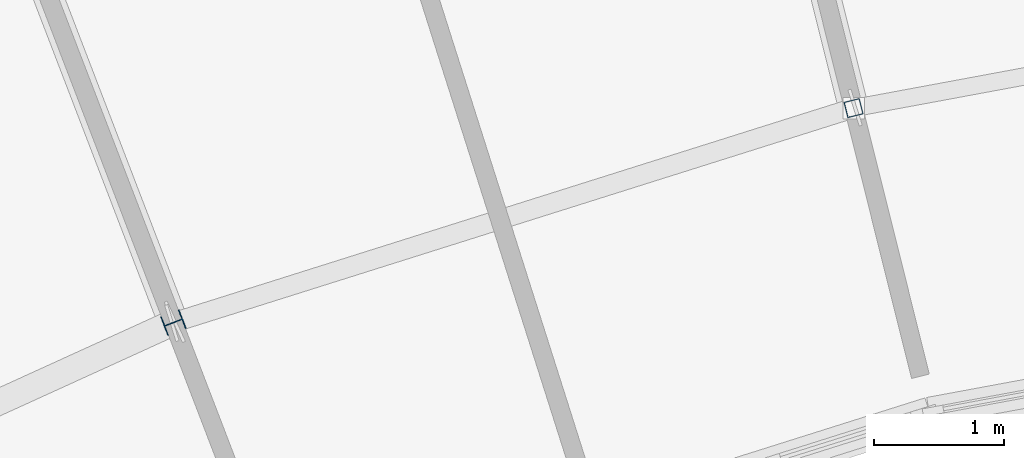
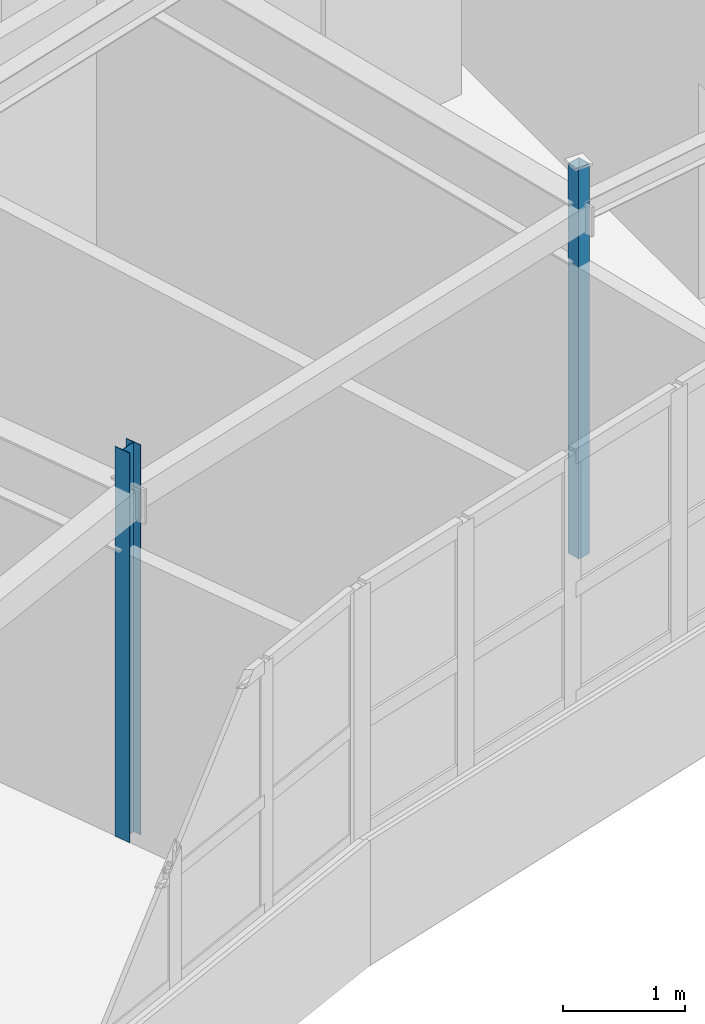
# One storey, part 8 of 60: 2 columns.
"""IFC4 building model written with IfcOpenShell, lengths in metres."""

from ifc_helpers import new_model, si_unit, direction, frame, origin, origin_2d, place, context, subcontext, project, spatial, hollow_rectangle, i_section, extrude, material, material_profile, profile_set, type_object, element, save


model = new_model("IFC4")

# Units and contexts
model_context = context("Model", 3, precision=1e-05, world=origin(), true_north=direction((0.0, 1.0)))
body_context = subcontext(model_context, "Body", "Model", "MODEL_VIEW")
ifc_project = project(units=[si_unit("LENGTHUNIT", "METRE"), si_unit("AREAUNIT", "SQUARE_METRE"), si_unit("VOLUMEUNIT", "CUBIC_METRE"), si_unit("PLANEANGLEUNIT", "RADIAN"), si_unit("MASSUNIT", "GRAM", prefix="KILO")], contexts=[model_context])

# Site, building, storey
site_placement = place(None, origin())
site = spatial("IfcSite", under=ifc_project, at=site_placement, CompositionType="ELEMENT")
building_placement = place(site_placement, origin())
building = spatial("IfcBuilding", under=site, at=building_placement, Name="Tarnwether General Hospital", CompositionType="ELEMENT")
storey_placement = place(building_placement, frame((0.0, 0.0, 26.10009765625)))
storey = spatial("IfcBuildingStorey", under=building, at=storey_placement, Name="L06", CompositionType="ELEMENT", Elevation=26.10009765625)

# Columns
ifc_material_1 = material(Name="Steel Grade 350 (350 MPa)", Category="steel")
ifc_material_profile_1 = material_profile(ifc_material_1, i_section(OverallWidth=0.152099609375, OverallDepth=0.152099609375, WebThickness=0.006103515625, FlangeThickness=0.0068359375, at=origin_2d()), Name="150UC23.4")
ifc_profile_set_1 = profile_set([ifc_material_profile_1], Name="Steel Grade 350 (350 MPa)")
column_type_1 = type_object("IfcColumnType", Name="COL-32", PredefinedType="COLUMN", material=ifc_profile_set_1)
column_1_placement = place(storey_placement, frame((75.945068359375, 104.823974609375, 0.0), z_axis=(0.0, 0.0, 1.0), x_axis=(-0.358367949545, 0.933580426497, 0.0)))
element("IfcColumn", 1, at=column_1_placement, inside=storey, type_object=column_type_1, Name="Column COLG-L06-7594_10482", PredefinedType="COLUMN", context=body_context, shape_type="SweptSolid", body=[
    extrude(i_section(OverallWidth=0.152099609375, OverallDepth=0.152099609375, WebThickness=0.006103515625, FlangeThickness=0.0068359375, at=origin_2d()), origin(), (0.0, 0.0, 1.0), 3.89990234375),
])
ifc_material_2 = material(Name="Steel Grade C350L0 (350 MPa)", Category="steel")
ifc_material_profile_2 = material_profile(ifc_material_2, hollow_rectangle(XDim=0.125, YDim=0.125, WallThickness=0.006103515625, at=origin_2d()), Name="SHS125x125x6")
ifc_profile_set_2 = profile_set([ifc_material_profile_2], Name="Steel Grade C350L0 (350 MPa)")
column_type_2 = type_object("IfcColumnType", Name="COL-34", PredefinedType="COLUMN", material=ifc_profile_set_2)
column_2_placement = place(storey_placement, frame((81.162109375, 106.468994140625, 0.0), z_axis=(0.0, 0.0, 1.0), x_axis=(-0.2419218956, 0.970295726276, 0.0)))
element("IfcColumn", 2, at=column_2_placement, inside=storey, type_object=column_type_2, Name="Column COLG-L06-8116_10647", PredefinedType="COLUMN", context=body_context, shape_type="SweptSolid", body=[
    extrude(hollow_rectangle(XDim=0.125, YDim=0.125, WallThickness=0.006103515625, at=origin_2d()), origin(), (0.0, 0.0, 1.0), 3.89990234375),
])

save(model, "model.ifc")
